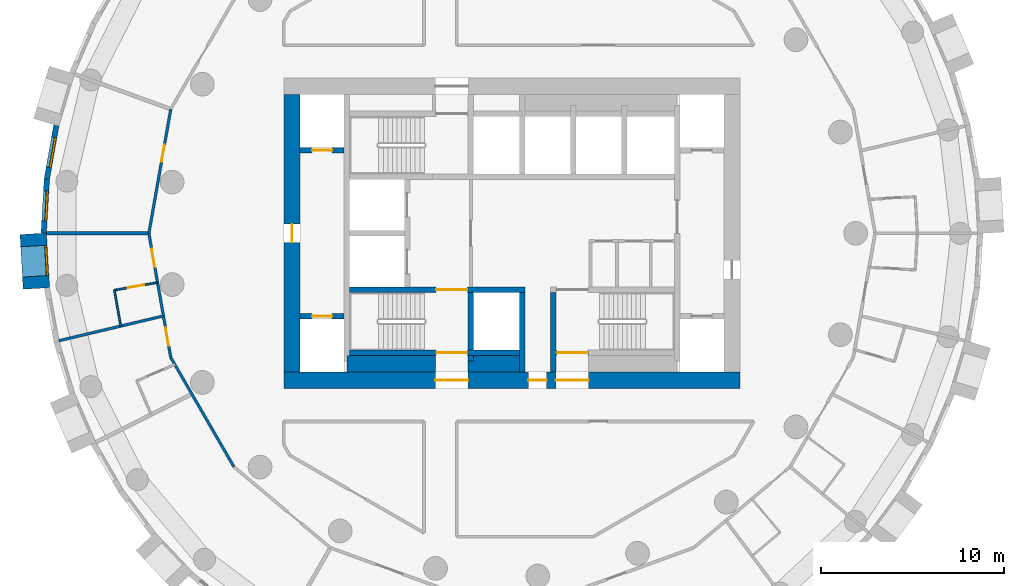
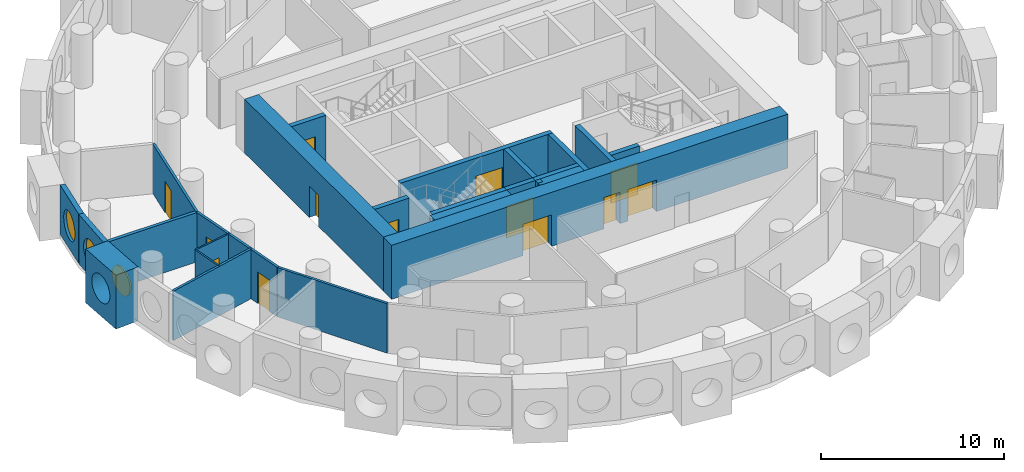
# One storey, part 3 of 9: 24 walls, 13 doors, 3 windows, 16 openings.
"""IFC4 building model written with IfcOpenShell, lengths in metres."""

from ifc_helpers import new_model, si_unit, direction, frame, frame_2d, origin, origin_2d, place, context, subcontext, project, spatial, rectangle, circle, extrude, material, layer, layer_set, type_object, element, fill, save


model = new_model("IFC4")

# Units and contexts
model_context = context("Model", 3, precision=1e-05, world=origin(), true_north=direction((0.0, 1.0)))
body_context = subcontext(model_context, "Body", "Model", "MODEL_VIEW")
ifc_project = project(units=[si_unit("LENGTHUNIT", "METRE"), si_unit("AREAUNIT", "SQUARE_METRE"), si_unit("VOLUMEUNIT", "CUBIC_METRE"), si_unit("PLANEANGLEUNIT", "RADIAN"), si_unit("MASSUNIT", "GRAM", prefix="KILO")], contexts=[model_context])

# Site, building, storey
site_placement = place(None, origin())
site = spatial("IfcSite", under=ifc_project, at=site_placement, CompositionType="ELEMENT")
building_placement = place(site_placement, origin())
building = spatial("IfcBuilding", under=site, at=building_placement, Name="Tracery Tower", CompositionType="ELEMENT")
storey_placement = place(building_placement, frame((0.0, 0.0, 198.0)))
storey = spatial("IfcBuildingStorey", under=building, at=storey_placement, Name="L51", CompositionType="ELEMENT", Elevation=198.0)

# Walls
ifc_material_1 = material(Name="Concrete C50/60", Category="concrete")
ifc_layer_1 = layer(ifc_material_1, 0.89990234375)
ifc_layer_set_1 = layer_set([ifc_layer_1], Name="Core strip wall 900 C50")
wall_type_1 = type_object("IfcWallType", Name="Core strip wall 900 C50", PredefinedType="SOLIDWALL", material=ifc_layer_set_1)
wall_1_placement = place(storey_placement, frame((-9.050048828125, -7.14990234375, 0.0), z_axis=(0.0, 0.0, 1.0), x_axis=(1.0, 0.0, 0.0)))
element("IfcWall", 1, at=wall_1_placement, inside=storey, type_object=wall_type_1, Name="L51 F thick S W", PredefinedType="SOLIDWALL", context=body_context, shape_type="SweptSolid", body=[
    extrude(rectangle(XDim=4.85009765625, YDim=0.89990234375, at=frame_2d((2.425048828125, 0.0))), origin(), (0.0, 0.0, 1.0), 3.300048828125),
])
wall_2_placement = place(storey_placement, frame((-2.39990234375, -7.14990234375, 0.0), z_axis=(0.0, 0.0, 1.0), x_axis=(1.0, 0.0, 0.0)))
element("IfcWall", 2, at=wall_2_placement, inside=storey, type_object=wall_type_1, Name="L51 F thick S mid", PredefinedType="SOLIDWALL", context=body_context, shape_type="SweptSolid", body=[
    extrude(rectangle(XDim=2.7998046875, YDim=0.89990234375, at=frame_2d((1.39990234375, 0.0))), origin(), (0.0, 0.0, 1.0), 3.300048828125),
])

# Wall, openings, doors
ifc_material_2 = material(Name="Concrete C50/60", Category="concrete")
ifc_layer_2 = layer(ifc_material_2, 0.89990234375)
ifc_layer_set_2 = layer_set([ifc_layer_2], Name="Core wall 900 C50")
wall_type_2 = type_object("IfcWallType", Name="Core wall 900 C50", PredefinedType="SOLIDWALL", material=ifc_layer_set_2)
wall_3_placement = place(storey_placement, frame((-12.5, -8.050048828125, 0.0), z_axis=(0.0, 0.0, 1.0), x_axis=(1.0, 0.0, 0.0)))
wall_3 = element("IfcWall", 3, at=wall_3_placement, inside=storey, type_object=wall_type_2, Name="L51 outer S", PredefinedType="SOLIDWALL", context=body_context, shape_type="SweptSolid", body=[
    extrude(rectangle(XDim=25.0, YDim=0.89990234375, at=frame_2d((12.5, 0.0))), origin(), (0.0, 0.0, 1.0), 3.60009765625),
])
opening_1_placement = place(wall_3_placement, frame((13.39990234375, 0.0, 0.0)))
opening_1 = element("IfcOpeningElement", 4, at=opening_1_placement, cuts=wall_3, Name="Opening KD16", PredefinedType="OPENING", context=body_context, shape_type="SweptSolid", body=[
    extrude(rectangle(XDim=1.0, YDim=2.10009765625, at=frame_2d((0.5, 1.050048828125))), frame((0.0, 0.449951171875, 0.0), z_axis=(0.0, -1.0, 0.0), x_axis=(1.0, 0.0, 0.0)), (0.0, 0.0, 1.0), 0.89990234375),
])
opening_2_placement = place(wall_3_placement, frame((8.300048828125, 0.0, 0.0)))
opening_2 = element("IfcOpeningElement", 5, at=opening_2_placement, cuts=wall_3, Name="Opening KD13", PredefinedType="OPENING", context=body_context, shape_type="SweptSolid", body=[
    extrude(rectangle(XDim=1.800048828125, YDim=2.10009765625, at=frame_2d((0.89990234375, 1.050048828125))), frame((0.0, 0.449951171875, 0.0), z_axis=(0.0, -1.0, 0.0), x_axis=(1.0, 0.0, 0.0)), (0.0, 0.0, 1.0), 0.89990234375),
])
opening_3_placement = place(wall_3_placement, frame((14.89990234375, 0.0, 0.0)))
opening_3 = element("IfcOpeningElement", 6, at=opening_3_placement, cuts=wall_3, Name="Opening KD13", PredefinedType="OPENING", context=body_context, shape_type="SweptSolid", body=[
    extrude(rectangle(XDim=1.800048828125, YDim=2.10009765625, at=frame_2d((0.89990234375, 1.050048828125))), frame((0.0, 0.449951171875, 0.0), z_axis=(0.0, -1.0, 0.0), x_axis=(1.0, 0.0, 0.0)), (0.0, 0.0, 1.0), 0.89990234375),
])
ifc_material_3 = material(Name="Steel fire door", Category="steel")
door_type_1 = type_object("IfcDoorType", Name="Core exit door 1000", OperationType="NOTDEFINED", PredefinedType="DOOR", material=ifc_material_3)
door_1_placement = place(opening_1_placement, origin())
door_1 = element("IfcDoor", 7, at=door_1_placement, inside=storey, type_object=door_type_1, Name="Core exit door", OperationType="SINGLE_SWING_LEFT", OverallHeight=2.10009765625, OverallWidth=1.0, PredefinedType="DOOR", context=body_context, shape_type="SweptSolid", body=[
    extrude(rectangle(XDim=1.0, YDim=2.10009765625, at=frame_2d((0.5, 1.050048828125))), frame((0.0, 0.02490234375, 0.0), z_axis=(0.0, -1.0, 0.0), x_axis=(1.0, 0.0, 0.0)), (0.0, 0.0, 1.0), 0.050048828125),
])
fill(opening_1, door_1)
ifc_material_4 = material(Name="Steel fire door", Category="steel")
door_type_2 = type_object("IfcDoorType", Name="Core exit door 1800 double", OperationType="NOTDEFINED", PredefinedType="DOOR", material=ifc_material_4)
door_2_placement = place(opening_2_placement, origin())
door_2 = element("IfcDoor", 8, at=door_2_placement, inside=storey, type_object=door_type_2, Name="Core exit door", OperationType="DOUBLE_DOOR_SINGLE_SWING", OverallHeight=2.10009765625, OverallWidth=1.800048828125, PredefinedType="DOOR", context=body_context, shape_type="SweptSolid", body=[
    extrude(rectangle(XDim=1.800048828125, YDim=2.10009765625, at=frame_2d((0.89990234375, 1.050048828125))), frame((0.0, 0.02490234375, 0.0), z_axis=(0.0, -1.0, 0.0), x_axis=(1.0, 0.0, 0.0)), (0.0, 0.0, 1.0), 0.050048828125),
])
fill(opening_2, door_2)
door_3_placement = place(opening_3_placement, origin())
door_3 = element("IfcDoor", 9, at=door_3_placement, inside=storey, type_object=door_type_2, Name="Core exit door", OperationType="DOUBLE_DOOR_SINGLE_SWING", OverallHeight=2.10009765625, OverallWidth=1.800048828125, PredefinedType="DOOR", context=body_context, shape_type="SweptSolid", body=[
    extrude(rectangle(XDim=1.800048828125, YDim=2.10009765625, at=frame_2d((0.89990234375, 1.050048828125))), frame((0.0, 0.02490234375, 0.0), z_axis=(0.0, -1.0, 0.0), x_axis=(1.0, 0.0, 0.0)), (0.0, 0.0, 1.0), 0.050048828125),
])
fill(opening_3, door_3)

# Wall, opening, door
wall_4_placement = place(storey_placement, frame((-12.050048828125, -7.60009765625, 0.0), z_axis=(0.0, 0.0, 1.0), x_axis=(0.0, 1.0, 0.0)))
wall_4 = element("IfcWall", 10, at=wall_4_placement, inside=storey, type_object=wall_type_2, Name="L51 outer W", PredefinedType="SOLIDWALL", context=body_context, shape_type="SweptSolid", body=[
    extrude(rectangle(XDim=15.2001953125, YDim=0.89990234375, at=frame_2d((7.60009765625, 0.0))), origin(), (0.0, 0.0, 1.0), 3.60009765625),
])
opening_4_placement = place(wall_4_placement, frame((7.10009765625, 0.0, 0.0)))
opening_4 = element("IfcOpeningElement", 11, at=opening_4_placement, cuts=wall_4, Name="Opening KD18", PredefinedType="OPENING", context=body_context, shape_type="SweptSolid", body=[
    extrude(rectangle(XDim=1.0, YDim=2.10009765625, at=frame_2d((0.5, 1.050048828125))), frame((0.0, 0.449951171875, 0.0), z_axis=(0.0, -1.0, 0.0), x_axis=(1.0, 0.0, 0.0)), (0.0, 0.0, 1.0), 0.89990234375),
])
door_4_placement = place(opening_4_placement, origin())
door_4 = element("IfcDoor", 12, at=door_4_placement, inside=storey, type_object=door_type_1, Name="Core exit door", OperationType="DOUBLE_DOOR_SINGLE_SWING", OverallHeight=2.10009765625, OverallWidth=1.0, PredefinedType="DOOR", context=body_context, shape_type="SweptSolid", body=[
    extrude(rectangle(XDim=1.0, YDim=2.10009765625, at=frame_2d((0.5, 1.050048828125))), frame((0.0, 0.02490234375, 0.0), z_axis=(0.0, -1.0, 0.0), x_axis=(1.0, 0.0, 0.0)), (0.0, 0.0, 1.0), 0.050048828125),
])
fill(opening_4, door_4)

# Wall, opening, window
ifc_material_5 = material(Name="Precast concrete C50/60", Category="concrete")
ifc_layer_3 = layer(ifc_material_5, 1.449951171875)
ifc_layer_set_3 = layer_set([ifc_layer_3], Name="Deep-set bay unit 3000 x 3600, slab edge 300")
wall_type_3 = type_object("IfcWallType", Name="Deep-set bay unit 3000 x 3600, slab edge 300", PredefinedType="ELEMENTEDWALL", material=ifc_layer_set_3)
wall_5_placement = place(storey_placement, frame((-26.221923828125, -0.024658203125, -0.300048828125), z_axis=(0.0, 0.0, 1.0), x_axis=(0.058106596105, -0.998310384344, 0.0)))
wall_5 = element("IfcWall", 13, at=wall_5_placement, inside=storey, type_object=wall_type_3, Name="Deep-set bay unit 28 at L51", PredefinedType="ELEMENTEDWALL", context=body_context, shape_type="SweptSolid", body=[
    extrude(rectangle(XDim=3.0, YDim=1.449951171875, at=frame_2d((1.5, 0.0))), origin(), (0.0, 0.0, 1.0), 3.60009765625),
])
opening_5_placement = place(wall_5_placement, frame((1.5, 0.0, 1.85009765625)))
opening_5 = element("IfcOpeningElement", 14, at=opening_5_placement, cuts=wall_5, Name="Opening WN1", PredefinedType="OPENING", context=body_context, shape_type="SweptSolid", body=[
    extrude(circle(Radius=0.9000244140625, at=origin_2d()), frame((0.0, 0.73486328125, 0.0), z_axis=(0.0, -1.0, 0.0), x_axis=(1.0, 0.0, 0.0)), (0.0, 0.0, 1.0), 1.469970703125),
])
ifc_material_6 = material(Name="Aluminium frame with tinted double glazing", Category="aluminium")
window_type = type_object("IfcWindowType", Name="Round window 1800", PartitioningType="SINGLE_PANEL", PredefinedType="WINDOW", material=ifc_material_6)
window_1_placement = place(opening_5_placement, origin())
window_1 = element("IfcWindow", 15, at=window_1_placement, inside=storey, type_object=window_type, Name="Round window 28 at L51", OverallHeight=1.800048828125, OverallWidth=1.800048828125, PartitioningType="SINGLE_PANEL", PredefinedType="WINDOW", context=body_context, shape_type="SweptSolid", body=[
    extrude(circle(Radius=0.9000244140625, at=origin_2d()), frame((0.0, 0.69482421875, 0.0), z_axis=(0.0, -1.0, 0.0), x_axis=(1.0, 0.0, 0.0)), (0.0, 0.0, 1.0), 0.10009765625),
])
fill(opening_5, window_1)

ifc_material_7 = material(Name="Precast concrete C50/60", Category="concrete")
ifc_layer_4 = layer(ifc_material_7, 0.300048828125)
ifc_layer_set_4 = layer_set([ifc_layer_4], Name="Facade panel 3000 x 3300")
wall_type_4 = type_object("IfcWallType", Name="Facade panel 3000 x 3300", PredefinedType="SOLIDWALL", material=ifc_layer_set_4)
wall_6_placement = place(storey_placement, frame((-24.957763671875, 5.9052734375, 0.0), z_axis=(0.0, 0.0, 1.0), x_axis=(-0.173686952598, -0.984800915159, 0.0)))
wall_6 = element("IfcWall", 16, at=wall_6_placement, inside=storey, type_object=wall_type_4, Name="Facade panel 26 at L51", PredefinedType="SOLIDWALL", context=body_context, shape_type="SweptSolid", body=[
    extrude(rectangle(XDim=2.972900390625, YDim=0.300048828125, at=frame_2d((1.486328125, 0.0))), origin(), (0.0, 0.0, 1.0), 3.300048828125),
])
opening_6_placement = place(wall_6_placement, frame((1.486328125, 0.0, 1.5498046875)))
opening_6 = element("IfcOpeningElement", 17, at=opening_6_placement, cuts=wall_6, Name="Opening WN1", PredefinedType="OPENING", context=body_context, shape_type="SweptSolid", body=[
    extrude(circle(Radius=0.9000244140625, at=origin_2d()), frame((0.0, 0.159912109375, 0.0), z_axis=(0.0, -1.0, 0.0), x_axis=(1.0, 0.0, 0.0)), (0.0, 0.0, 1.0), 0.320068359375),
])
window_2_placement = place(opening_6_placement, origin())
window_2 = element("IfcWindow", 18, at=window_2_placement, inside=storey, type_object=window_type, Name="Round window 26 at L51", OverallHeight=1.800048828125, OverallWidth=1.800048828125, PartitioningType="SINGLE_PANEL", PredefinedType="WINDOW", context=body_context, shape_type="SweptSolid", body=[
    extrude(circle(Radius=0.9000244140625, at=origin_2d()), frame((0.0, 0.1201171875, 0.0), z_axis=(0.0, -1.0, 0.0), x_axis=(1.0, 0.0, 0.0)), (0.0, 0.0, 1.0), 0.10009765625),
])
fill(opening_6, window_2)

wall_7_placement = place(storey_placement, frame((-25.47412109375, 2.9775390625, 0.0), z_axis=(0.0, 0.0, 1.0), x_axis=(-0.058139540521, -0.998308466271, 0.0)))
wall_7 = element("IfcWall", 19, at=wall_7_placement, inside=storey, type_object=wall_type_4, Name="Facade panel 27 at L51", PredefinedType="SOLIDWALL", context=body_context, shape_type="SweptSolid", body=[
    extrude(rectangle(XDim=2.97314453125, YDim=0.300048828125, at=frame_2d((1.486572265625, 0.0))), origin(), (0.0, 0.0, 1.0), 3.300048828125),
])
opening_7_placement = place(wall_7_placement, frame((1.486328125, 0.0, 1.5498046875)))
opening_7 = element("IfcOpeningElement", 20, at=opening_7_placement, cuts=wall_7, Name="Opening WN1", PredefinedType="OPENING", context=body_context, shape_type="SweptSolid", body=[
    extrude(circle(Radius=0.9000244140625, at=origin_2d()), frame((0.0, 0.159912109375, 0.0), z_axis=(0.0, -1.0, 0.0), x_axis=(1.0, 0.0, 0.0)), (0.0, 0.0, 1.0), 0.320068359375),
])
window_3_placement = place(opening_7_placement, origin())
window_3 = element("IfcWindow", 21, at=window_3_placement, inside=storey, type_object=window_type, Name="Round window 27 at L51", OverallHeight=1.800048828125, OverallWidth=1.800048828125, PartitioningType="SINGLE_PANEL", PredefinedType="WINDOW", context=body_context, shape_type="SweptSolid", body=[
    extrude(circle(Radius=0.9000244140625, at=origin_2d()), frame((0.0, 0.1201171875, 0.0), z_axis=(0.0, -1.0, 0.0), x_axis=(1.0, 0.0, 0.0)), (0.0, 0.0, 1.0), 0.10009765625),
])
fill(opening_7, window_3)

# Wall, opening, door
ifc_material_8 = material(Name="Plasterboard on steel studs", Category="steel")
ifc_layer_5 = layer(ifc_material_8, 0.10009765625)
ifc_layer_set_5 = layer_set([ifc_layer_5], Name="Partition 100 wet wall")
wall_type_5 = type_object("IfcWallType", Name="Partition 100 wet wall", PredefinedType="PARTITIONING", material=ifc_layer_set_5)
wall_8_placement = place(storey_placement, frame((-21.77587890625, -3.111083984375, 0.0), z_axis=(0.0, 0.0, 1.0), x_axis=(0.984781509998, 0.173796943488, 0.0)))
wall_8 = element("IfcWall", 22, at=wall_8_placement, inside=storey, type_object=wall_type_5, Name="Wet wall RB7-049", PredefinedType="PARTITIONING", context=body_context, shape_type="SweptSolid", body=[
    extrude(rectangle(XDim=2.3994140625, YDim=0.10009765625, at=frame_2d((1.19970703125, 0.0))), origin(), (0.0, 0.0, 1.0), 3.300048828125),
])
opening_8_placement = place(wall_8_placement, frame((0.74951171875, 0.0, 0.0)))
opening_8 = element("IfcOpeningElement", 23, at=opening_8_placement, cuts=wall_8, Name="Opening RB7-12", PredefinedType="OPENING", context=body_context, shape_type="SweptSolid", body=[
    extrude(rectangle(XDim=0.89990234375, YDim=2.0400390625, at=frame_2d((0.449951171875, 1.02001953125))), frame((0.0, 0.050048828125, 0.0), z_axis=(0.0, -1.0, 0.0), x_axis=(1.0, 0.0, 0.0)), (0.0, 0.0, 1.0), 0.10009765625),
])
ifc_material_9 = material(Name="Timber door leaf", Category="wood")
door_type_3 = type_object("IfcDoorType", Name="Door en-suite 900", OperationType="NOTDEFINED", PredefinedType="DOOR", material=ifc_material_9)
door_5_placement = place(opening_8_placement, origin())
door_5 = element("IfcDoor", 24, at=door_5_placement, inside=storey, type_object=door_type_3, Name="En-suite door RB7-12", OperationType="SINGLE_SWING_RIGHT", OverallHeight=2.0400390625, OverallWidth=0.89990234375, PredefinedType="DOOR", context=body_context, shape_type="SweptSolid", body=[
    extrude(rectangle(XDim=0.89990234375, YDim=2.0400390625, at=frame_2d((0.449951171875, 1.02001953125))), frame((0.0, 0.02490234375, 0.0), z_axis=(0.0, -1.0, 0.0), x_axis=(1.0, 0.0, 0.0)), (0.0, 0.0, 1.0), 0.050048828125),
])
fill(opening_8, door_5)

# Walls
wall_9_placement = place(storey_placement, frame((-21.77587890625, -3.111083984375, 0.0), z_axis=(0.0, 0.0, 1.0), x_axis=(0.17360412522, -0.984815519631, 0.0)))
element("IfcWall", 25, at=wall_9_placement, inside=storey, type_object=wall_type_5, Name="Wet wall RB7-050", PredefinedType="PARTITIONING", context=body_context, shape_type="SweptSolid", body=[
    extrude(rectangle(XDim=1.998291015625, YDim=0.10009765625, at=frame_2d((0.9990234375, 0.0))), origin(), (0.0, 0.0, 1.0), 3.300048828125),
])
ifc_material_10 = material(Name="Plasterboard on steel studs", Category="steel")
ifc_layer_6 = layer(ifc_material_10, 0.14990234375)
ifc_layer_set_6 = layer_set([ifc_layer_6], Name="Partition 150 acoustic unit wall")
wall_type_6 = type_object("IfcWallType", Name="Partition 150 acoustic unit wall", PredefinedType="PARTITIONING", material=ifc_layer_set_6)
wall_10_placement = place(storey_placement, frame((-24.81005859375, -5.8798828125, 0.0), z_axis=(0.0, 0.0, 1.0), x_axis=(0.973072933953, 0.230497429938, 0.0)))
element("IfcWall", 26, at=wall_10_placement, inside=storey, type_object=wall_type_6, Name="Unit wall RB7-051", PredefinedType="PARTITIONING", context=body_context, shape_type="SweptSolid", body=[
    extrude(rectangle(XDim=5.87841796875, YDim=0.14990234375, at=frame_2d((2.939208984375, 0.0))), origin(), (0.0, 0.0, 1.0), 3.300048828125),
])

# Wall, opening, door
ifc_material_11 = material(Name="Plasterboard on steel studs", Category="steel")
ifc_layer_7 = layer(ifc_material_11, 0.14990234375)
ifc_layer_set_7 = layer_set([ifc_layer_7], Name="Partition 150 corridor wall")
wall_type_7 = type_object("IfcWallType", Name="Partition 150 corridor wall", PredefinedType="PARTITIONING", material=ifc_layer_set_7)
wall_11_placement = place(storey_placement, frame((-19.887939453125, 0.0, 0.0), z_axis=(0.0, 0.0, 1.0), x_axis=(0.173728873845, 0.98479352069, 0.0)))
wall_11 = element("IfcWall", 27, at=wall_11_placement, inside=storey, type_object=wall_type_7, Name="Corridor wall RB7-028", PredefinedType="PARTITIONING", context=body_context, shape_type="SweptSolid", body=[
    extrude(rectangle(XDim=6.906982421875, YDim=0.14990234375, at=frame_2d((3.45361328125, 0.0))), origin(), (0.0, 0.0, 1.0), 3.300048828125),
])
opening_9_placement = place(wall_11_placement, frame((3.97900390625, 0.0, 0.0)))
opening_9 = element("IfcOpeningElement", 28, at=opening_9_placement, cuts=wall_11, Name="Opening RB7-11", PredefinedType="OPENING", context=body_context, shape_type="SweptSolid", body=[
    extrude(rectangle(XDim=0.949951171875, YDim=2.10009765625, at=frame_2d((0.47509765625, 1.050048828125))), frame((0.0, 0.074951171875, 0.0), z_axis=(0.0, -1.0, 0.0), x_axis=(1.0, 0.0, 0.0)), (0.0, 0.0, 1.0), 0.14990234375),
])
ifc_material_12 = material(Name="Timber door leaf", Category="wood")
door_type_4 = type_object("IfcDoorType", Name="Door store 950", OperationType="NOTDEFINED", PredefinedType="DOOR", material=ifc_material_12)
door_6_placement = place(opening_9_placement, origin())
door_6 = element("IfcDoor", 29, at=door_6_placement, inside=storey, type_object=door_type_4, Name="Store door RB7-11", OperationType="SINGLE_SWING_RIGHT", OverallHeight=2.10009765625, OverallWidth=0.949951171875, PredefinedType="DOOR", context=body_context, shape_type="SweptSolid", body=[
    extrude(rectangle(XDim=0.949951171875, YDim=2.10009765625, at=frame_2d((0.47509765625, 1.050048828125))), frame((0.0, 0.02490234375, 0.0), z_axis=(0.0, -1.0, 0.0), x_axis=(1.0, 0.0, 0.0)), (0.0, 0.0, 1.0), 0.050048828125),
])
fill(opening_9, door_6)

# Wall, openings, doors
wall_12_placement = place(storey_placement, frame((-19.887939453125, 0.0, 0.0), z_axis=(0.0, 0.0, 1.0), x_axis=(0.173728873845, -0.98479352069, 0.0)))
wall_12 = element("IfcWall", 30, at=wall_12_placement, inside=storey, type_object=wall_type_7, Name="Corridor wall RB7-029", PredefinedType="PARTITIONING", context=body_context, shape_type="SweptSolid", body=[
    extrude(rectangle(XDim=6.906982421875, YDim=0.14990234375, at=frame_2d((3.45361328125, 0.0))), origin(), (0.0, 0.0, 1.0), 3.300048828125),
])
opening_10_placement = place(wall_12_placement, frame((0.86962890625, 0.0, 0.0)))
opening_10 = element("IfcOpeningElement", 31, at=opening_10_placement, cuts=wall_12, Name="Opening RB7-13", PredefinedType="OPENING", context=body_context, shape_type="SweptSolid", body=[
    extrude(rectangle(XDim=1.0, YDim=2.10009765625, at=frame_2d((0.5, 1.050048828125))), frame((0.0, 0.074951171875, 0.0), z_axis=(0.0, -1.0, 0.0), x_axis=(1.0, 0.0, 0.0)), (0.0, 0.0, 1.0), 0.14990234375),
])
opening_11_placement = place(wall_12_placement, frame((5.248046875, 0.0, 0.0)))
opening_11 = element("IfcOpeningElement", 32, at=opening_11_placement, cuts=wall_12, Name="Opening RB7-15", PredefinedType="OPENING", context=body_context, shape_type="SweptSolid", body=[
    extrude(rectangle(XDim=1.0, YDim=2.10009765625, at=frame_2d((0.5, 1.050048828125))), frame((0.0, 0.074951171875, 0.0), z_axis=(0.0, -1.0, 0.0), x_axis=(1.0, 0.0, 0.0)), (0.0, 0.0, 1.0), 0.14990234375),
])
ifc_material_13 = material(Name="Timber door leaf", Category="wood")
door_type_5 = type_object("IfcDoorType", Name="Door unit entrance 1000", OperationType="NOTDEFINED", PredefinedType="DOOR", material=ifc_material_13)
door_7_placement = place(opening_10_placement, origin())
door_7 = element("IfcDoor", 33, at=door_7_placement, inside=storey, type_object=door_type_5, Name="Unit entrance door RB7-13", OperationType="SINGLE_SWING_RIGHT", OverallHeight=2.10009765625, OverallWidth=1.0, PredefinedType="DOOR", context=body_context, shape_type="SweptSolid", body=[
    extrude(rectangle(XDim=1.0, YDim=2.10009765625, at=frame_2d((0.5, 1.050048828125))), frame((0.0, 0.02490234375, 0.0), z_axis=(0.0, -1.0, 0.0), x_axis=(1.0, 0.0, 0.0)), (0.0, 0.0, 1.0), 0.050048828125),
])
fill(opening_10, door_7)
door_8_placement = place(opening_11_placement, origin())
door_8 = element("IfcDoor", 34, at=door_8_placement, inside=storey, type_object=door_type_5, Name="Unit entrance door RB7-15", OperationType="SINGLE_SWING_RIGHT", OverallHeight=2.10009765625, OverallWidth=1.0, PredefinedType="DOOR", context=body_context, shape_type="SweptSolid", body=[
    extrude(rectangle(XDim=1.0, YDim=2.10009765625, at=frame_2d((0.5, 1.050048828125))), frame((0.0, 0.02490234375, 0.0), z_axis=(0.0, -1.0, 0.0), x_axis=(1.0, 0.0, 0.0)), (0.0, 0.0, 1.0), 0.050048828125),
])
fill(opening_11, door_8)

# Walls
wall_13_placement = place(storey_placement, frame((-18.68798828125, -6.802001953125, 0.0), z_axis=(0.0, 0.0, 1.0), x_axis=(0.500229307554, -0.865892972523, 0.0)))
element("IfcWall", 35, at=wall_13_placement, inside=storey, type_object=wall_type_7, Name="Corridor wall RB7-030", PredefinedType="PARTITIONING", context=body_context, shape_type="SweptSolid", body=[
    extrude(rectangle(XDim=6.906982421875, YDim=0.14990234375, at=frame_2d((3.45361328125, 0.0))), origin(), (0.0, 0.0, 1.0), 3.300048828125),
])
ifc_material_14 = material(Name="Plasterboard on steel studs", Category="steel")
ifc_layer_8 = layer(ifc_material_14, 0.199951171875)
ifc_layer_set_8 = layer_set([ifc_layer_8], Name="Partition 200 compartment wall")
wall_type_8 = type_object("IfcWallType", Name="Partition 200 compartment wall", PredefinedType="PARTITIONING", material=ifc_layer_set_8)
wall_14_placement = place(storey_placement, frame((-25.4970703125, 0.0, 0.0), z_axis=(0.0, 0.0, 1.0), x_axis=(1.0, 0.0, 0.0)))
element("IfcWall", 36, at=wall_14_placement, inside=storey, type_object=wall_type_8, Name="Compartment wall RB7-048", PredefinedType="PARTITIONING", context=body_context, shape_type="SweptSolid", body=[
    extrude(rectangle(XDim=5.609130859375, YDim=0.199951171875, at=frame_2d((2.8046875, 0.0))), origin(), (0.0, 0.0, 1.0), 3.300048828125),
])
ifc_material_15 = material(Name="Concrete C50/60", Category="concrete")
ifc_layer_9 = layer(ifc_material_15, 0.300048828125)
ifc_layer_set_9 = layer_set([ifc_layer_9], Name="Shaft wall 300 C50")
wall_type_9 = type_object("IfcWallType", Name="Shaft wall 300 C50", PredefinedType="SOLIDWALL", material=ifc_layer_set_9)
wall_15_placement = place(storey_placement, frame((0.550048828125, -7.60009765625, 0.0), z_axis=(0.0, 0.0, 1.0), x_axis=(0.0, 1.0, 0.0)))
element("IfcWall", 37, at=wall_15_placement, inside=storey, type_object=wall_type_9, Name="L51 OB2 E", PredefinedType="SOLIDWALL", context=body_context, shape_type="SweptSolid", body=[
    extrude(rectangle(XDim=4.35009765625, YDim=0.300048828125, at=frame_2d((2.175048828125, 0.0))), origin(), (0.0, 0.0, 1.0), 3.300048828125),
])

# Wall, opening, door
wall_16_placement = place(storey_placement, frame((-11.60009765625, -4.550048828125, 0.0), z_axis=(0.0, 0.0, 1.0), x_axis=(1.0, 0.0, 0.0)))
wall_16 = element("IfcWall", 38, at=wall_16_placement, inside=storey, type_object=wall_type_9, Name="L51 MR W -4.55", PredefinedType="SOLIDWALL", context=body_context, shape_type="SweptSolid", body=[
    extrude(rectangle(XDim=2.400146484375, YDim=0.300048828125, at=frame_2d((1.2001953125, 0.0))), origin(), (0.0, 0.0, 1.0), 3.300048828125),
])
opening_12_placement = place(wall_16_placement, frame((0.64990234375, 0.0, 0.0)))
opening_12 = element("IfcOpeningElement", 39, at=opening_12_placement, cuts=wall_16, Name="Opening KD50", PredefinedType="OPENING", context=body_context, shape_type="SweptSolid", body=[
    extrude(rectangle(XDim=1.10009765625, YDim=2.10009765625, at=frame_2d((0.550048828125, 1.050048828125))), frame((0.0, 0.14990234375, 0.0), z_axis=(0.0, -1.0, 0.0), x_axis=(1.0, 0.0, 0.0)), (0.0, 0.0, 1.0), 0.300048828125),
])
ifc_material_16 = material(Name="Steel fire door", Category="steel")
door_type_6 = type_object("IfcDoorType", Name="Landing door 1100", OperationType="NOTDEFINED", PredefinedType="DOOR", material=ifc_material_16)
door_9_placement = place(opening_12_placement, origin())
door_9 = element("IfcDoor", 40, at=door_9_placement, inside=storey, type_object=door_type_6, Name="Landing door MR1", OperationType="SLIDING_TO_RIGHT", OverallHeight=2.10009765625, OverallWidth=1.10009765625, PredefinedType="DOOR", context=body_context, shape_type="SweptSolid", body=[
    extrude(rectangle(XDim=1.10009765625, YDim=2.10009765625, at=frame_2d((0.550048828125, 1.050048828125))), frame((0.0, 0.02490234375, 0.0), z_axis=(0.0, -1.0, 0.0), x_axis=(1.0, 0.0, 0.0)), (0.0, 0.0, 1.0), 0.050048828125),
])
fill(opening_12, door_9)

wall_17_placement = place(storey_placement, frame((-11.60009765625, 4.550048828125, 0.0), z_axis=(0.0, 0.0, 1.0), x_axis=(1.0, 0.0, 0.0)))
wall_17 = element("IfcWall", 41, at=wall_17_placement, inside=storey, type_object=wall_type_9, Name="L51 MR W +4.55", PredefinedType="SOLIDWALL", context=body_context, shape_type="SweptSolid", body=[
    extrude(rectangle(XDim=2.400146484375, YDim=0.300048828125, at=frame_2d((1.2001953125, 0.0))), origin(), (0.0, 0.0, 1.0), 3.300048828125),
])
opening_13_placement = place(wall_17_placement, frame((0.64990234375, 0.0, 0.0)))
opening_13 = element("IfcOpeningElement", 42, at=opening_13_placement, cuts=wall_17, Name="Opening KD49", PredefinedType="OPENING", context=body_context, shape_type="SweptSolid", body=[
    extrude(rectangle(XDim=1.10009765625, YDim=2.10009765625, at=frame_2d((0.550048828125, 1.050048828125))), frame((0.0, 0.14990234375, 0.0), z_axis=(0.0, -1.0, 0.0), x_axis=(1.0, 0.0, 0.0)), (0.0, 0.0, 1.0), 0.300048828125),
])
door_10_placement = place(opening_13_placement, origin())
door_10 = element("IfcDoor", 43, at=door_10_placement, inside=storey, type_object=door_type_6, Name="Landing door MR2", OperationType="SLIDING_TO_LEFT", OverallHeight=2.10009765625, OverallWidth=1.10009765625, PredefinedType="DOOR", context=body_context, shape_type="SweptSolid", body=[
    extrude(rectangle(XDim=1.10009765625, YDim=2.10009765625, at=frame_2d((0.550048828125, 1.050048828125))), frame((0.0, 0.02490234375, 0.0), z_axis=(0.0, -1.0, 0.0), x_axis=(1.0, 0.0, 0.0)), (0.0, 0.0, 1.0), 0.050048828125),
])
fill(opening_13, door_10)

ifc_material_17 = material(Name="Concrete C50/60", Category="concrete")
ifc_layer_10 = layer(ifc_material_17, 0.300048828125)
ifc_layer_set_10 = layer_set([ifc_layer_10], Name="Stair wall 300 C50")
wall_type_10 = type_object("IfcWallType", Name="Stair wall 300 C50", PredefinedType="SOLIDWALL", material=ifc_layer_set_10)
wall_18_placement = place(storey_placement, frame((-8.89990234375, -3.10009765625, 0.0), z_axis=(0.0, 0.0, 1.0), x_axis=(1.0, 0.0, 0.0)))
wall_18 = element("IfcWall", 44, at=wall_18_placement, inside=storey, type_object=wall_type_10, Name="L51 row S", PredefinedType="SOLIDWALL", context=body_context, shape_type="SweptSolid", body=[
    extrude(rectangle(XDim=9.599853515625, YDim=0.300048828125, at=frame_2d((4.7998046875, 0.0))), origin(), (0.0, 0.0, 1.0), 3.300048828125),
])
opening_14_placement = place(wall_18_placement, frame((4.75, 0.0, 0.0)))
opening_14 = element("IfcOpeningElement", 45, at=opening_14_placement, cuts=wall_18, Name="Opening KD3", PredefinedType="OPENING", context=body_context, shape_type="SweptSolid", body=[
    extrude(rectangle(XDim=1.699951171875, YDim=2.10009765625, at=frame_2d((0.85009765625, 1.050048828125))), frame((0.0, 0.14990234375, 0.0), z_axis=(0.0, -1.0, 0.0), x_axis=(1.0, 0.0, 0.0)), (0.0, 0.0, 1.0), 0.300048828125),
])
ifc_material_18 = material(Name="Steel fire door", Category="steel")
door_type_7 = type_object("IfcDoorType", Name="Core stair door 1700 double", OperationType="NOTDEFINED", PredefinedType="DOOR", material=ifc_material_18)
door_11_placement = place(opening_14_placement, origin())
door_11 = element("IfcDoor", 46, at=door_11_placement, inside=storey, type_object=door_type_7, Name="Stair door ST1", OperationType="DOUBLE_DOOR_SINGLE_SWING", OverallHeight=2.10009765625, OverallWidth=1.699951171875, PredefinedType="DOOR", context=body_context, shape_type="SweptSolid", body=[
    extrude(rectangle(XDim=1.699951171875, YDim=2.10009765625, at=frame_2d((0.85009765625, 1.050048828125))), frame((0.0, 0.02490234375, 0.0), z_axis=(0.0, -1.0, 0.0), x_axis=(1.0, 0.0, 0.0)), (0.0, 0.0, 1.0), 0.050048828125),
])
fill(opening_14, door_11)

# Walls
wall_19_placement = place(storey_placement, frame((-2.25, -7.0, 0.0), z_axis=(0.0, 0.0, 1.0), x_axis=(0.0, 1.0, 0.0)))
element("IfcWall", 47, at=wall_19_placement, inside=storey, type_object=wall_type_10, Name="L51 ST1 E", PredefinedType="SOLIDWALL", context=body_context, shape_type="SweptSolid", body=[
    extrude(rectangle(XDim=3.75, YDim=0.300048828125, at=frame_2d((1.875, 0.0))), origin(), (0.0, 0.0, 1.0), 3.300048828125),
])
wall_20_placement = place(storey_placement, frame((2.25, -7.60009765625, 0.0), z_axis=(0.0, 0.0, 1.0), x_axis=(0.0, 1.0, 0.0)))
element("IfcWall", 48, at=wall_20_placement, inside=storey, type_object=wall_type_10, Name="L51 ST2 W", PredefinedType="SOLIDWALL", context=body_context, shape_type="SweptSolid", body=[
    extrude(rectangle(XDim=4.35009765625, YDim=0.300048828125, at=frame_2d((2.175048828125, 0.0))), origin(), (0.0, 0.0, 1.0), 3.300048828125),
])
wall_21_placement = place(storey_placement, frame((-8.89990234375, -6.550048828125, 0.0), z_axis=(0.0, 0.0, 1.0), x_axis=(1.0, 0.0, 0.0)))
element("IfcWall", 49, at=wall_21_placement, inside=storey, type_object=wall_type_10, Name="L51 F stair strip S W", PredefinedType="SOLIDWALL", context=body_context, shape_type="SweptSolid", body=[
    extrude(rectangle(XDim=4.699951171875, YDim=0.300048828125, at=frame_2d((2.35009765625, 0.0))), origin(), (0.0, 0.0, 1.0), 3.300048828125),
])
wall_22_placement = place(storey_placement, frame((-2.39990234375, -6.550048828125, 0.0), z_axis=(0.0, 0.0, 1.0), x_axis=(1.0, 0.0, 0.0)))
element("IfcWall", 50, at=wall_22_placement, inside=storey, type_object=wall_type_10, Name="L51 F stair strip S mid", PredefinedType="SOLIDWALL", context=body_context, shape_type="SweptSolid", body=[
    extrude(rectangle(XDim=2.7998046875, YDim=0.300048828125, at=frame_2d((1.39990234375, 0.0))), origin(), (0.0, 0.0, 1.0), 3.300048828125),
])

# Wall, opening, door
wall_23_placement = place(storey_placement, frame((-4.199951171875, -6.550048828125, 0.0), z_axis=(0.0, 0.0, 1.0), x_axis=(1.0, 0.0, 0.0)))
wall_23 = element("IfcWall", 51, at=wall_23_placement, inside=storey, type_object=wall_type_10, Name="L51 F stair S W", PredefinedType="SOLIDWALL", context=body_context, shape_type="SweptSolid", body=[
    extrude(rectangle(XDim=1.800048828125, YDim=0.300048828125, at=frame_2d((0.89990234375, 0.0))), origin(), (0.0, 0.0, 1.0), 3.300048828125),
])
opening_15_placement = place(wall_23_placement, frame((0.050048828125, 0.0, 0.0)))
opening_15 = element("IfcOpeningElement", 52, at=opening_15_placement, cuts=wall_23, Name="Opening KD3", PredefinedType="OPENING", context=body_context, shape_type="SweptSolid", body=[
    extrude(rectangle(XDim=1.699951171875, YDim=2.10009765625, at=frame_2d((0.85009765625, 1.050048828125))), frame((0.0, 0.14990234375, 0.0), z_axis=(0.0, -1.0, 0.0), x_axis=(1.0, 0.0, 0.0)), (0.0, 0.0, 1.0), 0.300048828125),
])
door_12_placement = place(opening_15_placement, origin())
door_12 = element("IfcDoor", 53, at=door_12_placement, inside=storey, type_object=door_type_7, Name="Stair door vest", OperationType="DOUBLE_DOOR_SINGLE_SWING", OverallHeight=2.10009765625, OverallWidth=1.699951171875, PredefinedType="DOOR", context=body_context, shape_type="SweptSolid", body=[
    extrude(rectangle(XDim=1.699951171875, YDim=2.10009765625, at=frame_2d((0.85009765625, 1.050048828125))), frame((0.0, 0.02490234375, 0.0), z_axis=(0.0, -1.0, 0.0), x_axis=(1.0, 0.0, 0.0)), (0.0, 0.0, 1.0), 0.050048828125),
])
fill(opening_15, door_12)

wall_24_placement = place(storey_placement, frame((2.39990234375, -6.550048828125, 0.0), z_axis=(0.0, 0.0, 1.0), x_axis=(1.0, 0.0, 0.0)))
wall_24 = element("IfcWall", 54, at=wall_24_placement, inside=storey, type_object=wall_type_10, Name="L51 F stair S E", PredefinedType="SOLIDWALL", context=body_context, shape_type="SweptSolid", body=[
    extrude(rectangle(XDim=1.800048828125, YDim=0.300048828125, at=frame_2d((0.89990234375, 0.0))), origin(), (0.0, 0.0, 1.0), 3.300048828125),
])
opening_16_placement = place(wall_24_placement, frame((0.050048828125, 0.0, 0.0)))
opening_16 = element("IfcOpeningElement", 55, at=opening_16_placement, cuts=wall_24, Name="Opening KD3", PredefinedType="OPENING", context=body_context, shape_type="SweptSolid", body=[
    extrude(rectangle(XDim=1.699951171875, YDim=2.10009765625, at=frame_2d((0.85009765625, 1.050048828125))), frame((0.0, 0.14990234375, 0.0), z_axis=(0.0, -1.0, 0.0), x_axis=(1.0, 0.0, 0.0)), (0.0, 0.0, 1.0), 0.300048828125),
])
door_13_placement = place(opening_16_placement, origin())
door_13 = element("IfcDoor", 56, at=door_13_placement, inside=storey, type_object=door_type_7, Name="Stair door vest", OperationType="DOUBLE_DOOR_SINGLE_SWING", OverallHeight=2.10009765625, OverallWidth=1.699951171875, PredefinedType="DOOR", context=body_context, shape_type="SweptSolid", body=[
    extrude(rectangle(XDim=1.699951171875, YDim=2.10009765625, at=frame_2d((0.85009765625, 1.050048828125))), frame((0.0, 0.02490234375, 0.0), z_axis=(0.0, -1.0, 0.0), x_axis=(1.0, 0.0, 0.0)), (0.0, 0.0, 1.0), 0.050048828125),
])
fill(opening_16, door_13)

save(model, "model.ifc")
